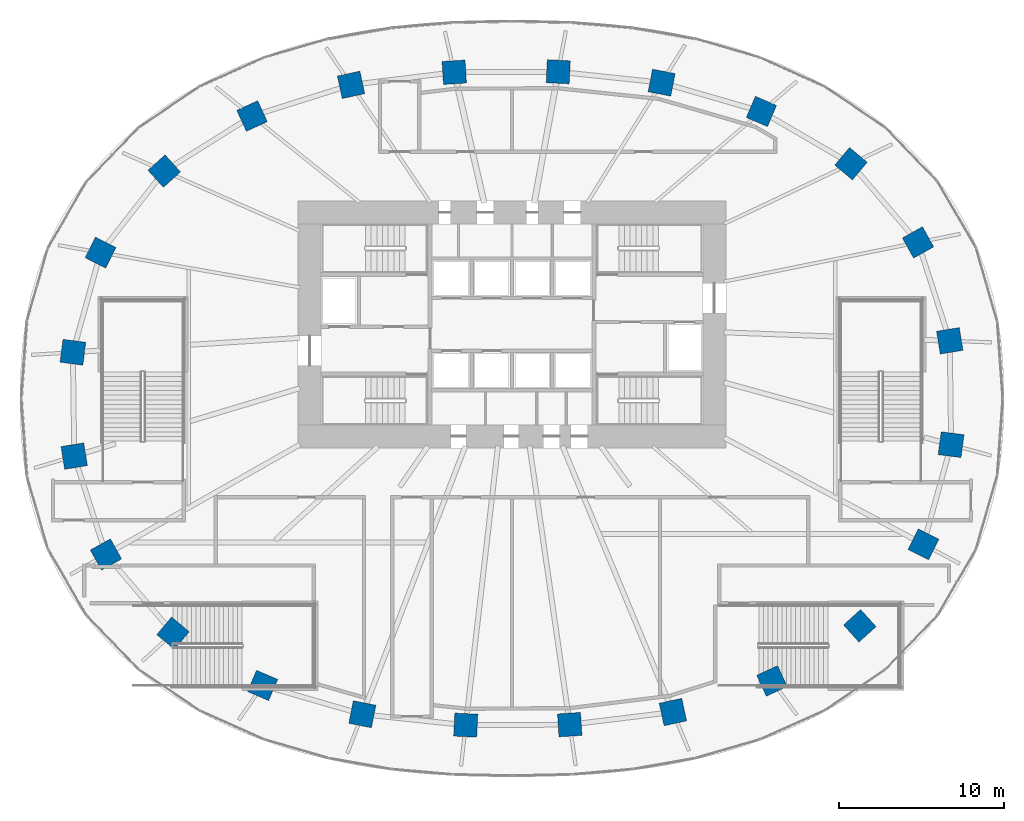
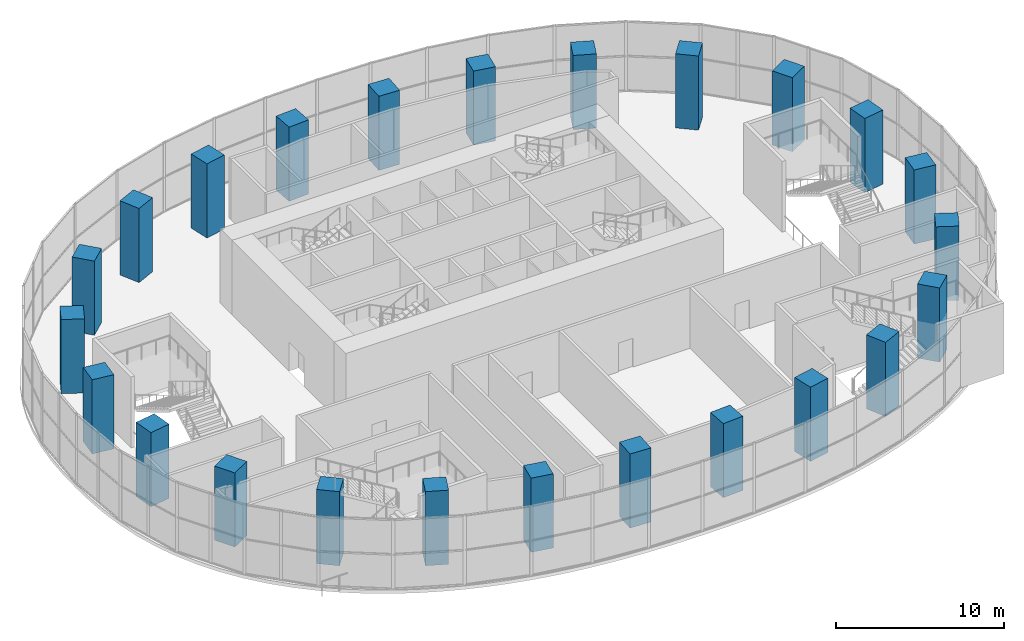
# One storey, part 1 of 20: 24 columns.
"""IFC4 building model written with IfcOpenShell, lengths in metres."""

from ifc_helpers import new_model, si_unit, direction, frame, origin, origin_2d, place, context, subcontext, project, spatial, rectangle, extrude, material, material_profile, profile_set, type_object, element, save


model = new_model("IFC4")

# Units and contexts
model_context = context("Model", 3, precision=1e-05, world=origin(), true_north=direction((0.0, 1.0)))
body_context = subcontext(model_context, "Body", "Model", "MODEL_VIEW")
ifc_project = project(units=[si_unit("LENGTHUNIT", "METRE"), si_unit("AREAUNIT", "SQUARE_METRE"), si_unit("VOLUMEUNIT", "CUBIC_METRE"), si_unit("PLANEANGLEUNIT", "RADIAN"), si_unit("MASSUNIT", "GRAM", prefix="KILO")], contexts=[model_context])

# Site, building, storey
site_placement = place(None, origin())
site = spatial("IfcSite", under=ifc_project, at=site_placement, CompositionType="ELEMENT")
building_placement = place(site_placement, origin())
building = spatial("IfcBuilding", under=site, at=building_placement, Name="Rubra Terraces Tower", CompositionType="ELEMENT")
storey_placement = place(building_placement, frame((0.0, 0.0, 22.800048828125)))
storey = spatial("IfcBuildingStorey", under=building, at=storey_placement, Name="L03", CompositionType="ELEMENT", Elevation=22.800048828125)

# Columns
ifc_material = material(Name="Concrete C60", Category="concrete")
ifc_material_profile = material_profile(ifc_material, rectangle(XDim=1.39990234375, YDim=1.39990234375, at=origin_2d()), Name="RC 1400x1400")
ifc_profile_set = profile_set([ifc_material_profile], Name="Concrete C60")
column_type = type_object("IfcColumnType", Name="RING COLUMN RC 1400x1400 C60", PredefinedType="COLUMN", material=ifc_profile_set)
for number, where, z_axis, x_axis, name in (
    (1, (26.60498046875, 3.5029296875, 0.0), (0.0, 0.0, 1.0), (-0.161234051287, 0.986916197408, 0.0), "column-L03-ring-01"),
    (2, (24.676025390625, 9.48291015625, 0.0), (0.0, 0.0, 1.0), (-0.487226597714, 0.873275582208, 0.0), "column-L03-ring-02"),
    (3, (20.60009765625, 14.26611328125, 0.0), (0.0, 0.0, 1.0), (-0.767209547574, 0.641396531104, 0.0), "column-L03-ring-03"),
    (4, (15.156982421875, 17.44091796875, 0.0), (0.0, 0.0, 1.0), (-0.919293738002, 0.393572132232, 0.0), "column-L03-ring-04"),
    (5, (9.093994140625, 19.19189453125, 0.0), (0.0, 0.0, 1.0), (-0.981430410798, 0.191818530806, 0.0), "column-L03-ring-05"),
    (6, (2.81103515625, 19.85400390625, 0.0), (0.0, 0.0, 1.0), (-0.99874501614, 0.050083857035, 0.0), "column-L03-ring-06"),
    (7, (-3.509033203125, 19.823974609375, 0.0), (0.0, 0.0, 1.0), (-0.9980076013, -0.063093801177, 0.0), "column-L03-ring-07"),
    (8, (-9.780029296875, 19.05810546875, 0.0), (0.0, 0.0, 1.0), (-0.977386186482, -0.211462153764, 0.0), "column-L03-ring-08"),
    (9, (-15.799072265625, 17.1650390625, 0.0), (0.0, 0.0, 1.0), (-0.907952363445, -0.419073389413, 0.0), "column-L03-ring-09"),
    (10, (-21.135009765625, 13.81689453125, 0.0), (0.0, 0.0, 1.0), (-0.742675944539, -0.66965098477, 0.0), "column-L03-ring-10"),
    (11, (-25.0029296875, 8.865966796875, 0.0), (0.0, 0.0, 1.0), (-0.450098906028, -0.892978709036, 0.0), "column-L03-ring-11"),
    (12, (-26.68408203125, 2.80810546875, 0.0), (0.0, 0.0, 1.0), (-0.128444510405, -0.991716697322, 0.0), "column-L03-ring-12"),
    (13, (-26.60498046875, -3.5029296875, 0.0), (0.0, 0.0, 1.0), (0.161234051287, -0.986916197408, 0.0), "column-L03-ring-13"),
    (14, (-24.676025390625, -9.48291015625, 0.0), (0.0, 0.0, 1.0), (0.487226597714, -0.873275582208, 0.0), "column-L03-ring-14"),
    (15, (-20.60009765625, -14.26611328125, 0.0), (0.0, 0.0, 1.0), (0.767209547574, -0.641396531104, 0.0), "column-L03-ring-15"),
    (16, (-15.156982421875, -17.44091796875, 0.0), (0.0, 0.0, 1.0), (0.919293738002, -0.393572132232, 0.0), "column-L03-ring-16"),
    (17, (-9.093994140625, -19.19189453125, 0.0), (0.0, 0.0, 1.0), (0.981430410798, -0.191818530806, 0.0), "column-L03-ring-17"),
    (18, (-2.81103515625, -19.85400390625, 0.0), (0.0, 0.0, 1.0), (0.99874501614, -0.050083857035, 0.0), "column-L03-ring-18"),
    (19, (3.509033203125, -19.823974609375, 0.0), (0.0, 0.0, 1.0), (0.9980076013, 0.063093801177, 0.0), "column-L03-ring-19"),
    (20, (9.780029296875, -19.05810546875, 0.0), (0.0, 0.0, 1.0), (0.977386186482, 0.211462153764, 0.0), "column-L03-ring-20"),
    (21, (15.799072265625, -17.1650390625, 0.0), (0.0, 0.0, 1.0), (0.907952363445, 0.419073389413, 0.0), "column-L03-ring-21"),
    (22, (21.135009765625, -13.81689453125, 0.0), (0.0, 0.0, 1.0), (0.742675944539, 0.66965098477, 0.0), "column-L03-ring-22"),
    (23, (25.0029296875, -8.865966796875, 0.0), (0.0, 0.0, 1.0), (0.450098906028, 0.892978709036, 0.0), "column-L03-ring-23"),
    (24, (26.68408203125, -2.80810546875, 0.0), (0.0, 0.0, 1.0), (0.128444510405, 0.991716697322, 0.0), "column-L03-ring-24"),
):
    element("IfcColumn", number, at=place(storey_placement, frame(where, z_axis=z_axis, x_axis=x_axis)), inside=storey, type_object=column_type, Name=name, PredefinedType="COLUMN", context=body_context, shape_type="SweptSolid", body=[
        extrude(rectangle(XDim=1.39990234375, YDim=1.39990234375, at=origin_2d()), origin(), (0.0, 0.0, 1.0), 5.39990234375),
    ])

save(model, "model.ifc")
